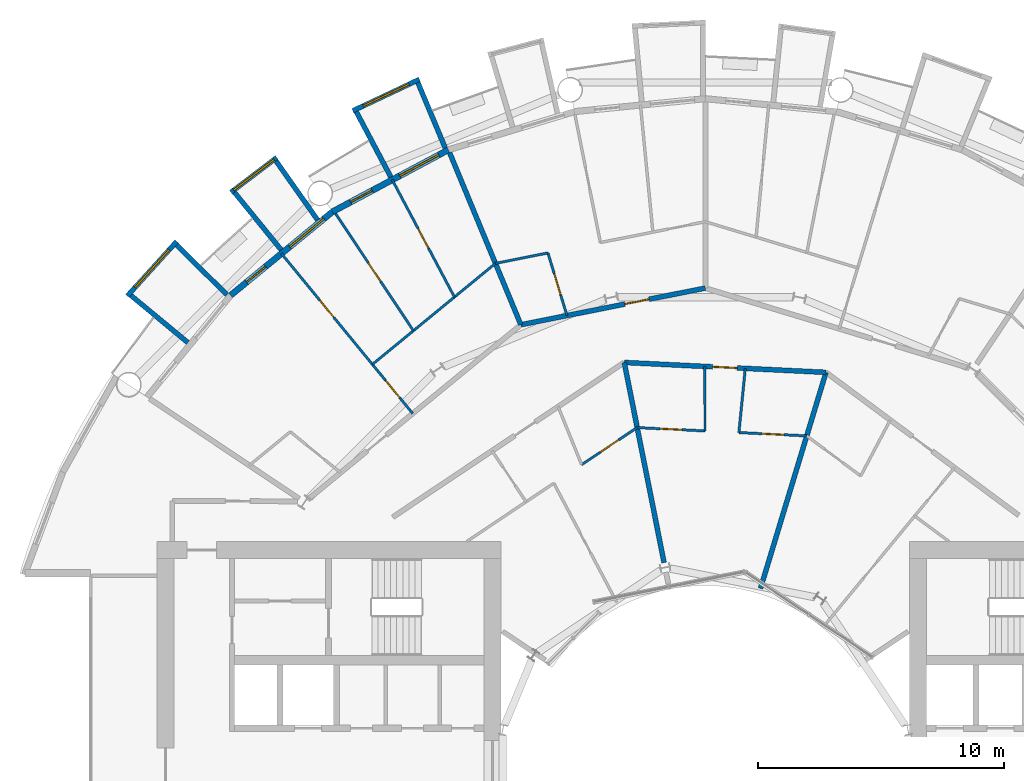
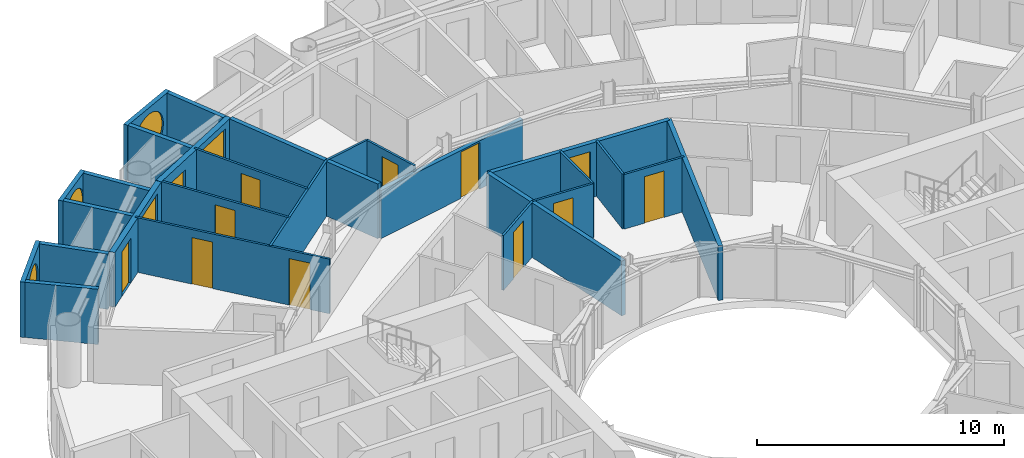
# One storey, part 19 of 26: 27 walls, 12 doors, 5 windows, 17 openings.
"""IFC4 building model written with IfcOpenShell, lengths in metres."""

from ifc_helpers import new_model, si_unit, direction, frame, frame_2d, origin, place, context, subcontext, project, spatial, rectangle, circle, extrude, material, layer, layer_set, type_object, element, fill, save


model = new_model("IFC4")

# Units and contexts
model_context = context("Model", 3, precision=1e-05, world=origin(), true_north=direction((0.0, 1.0)))
body_context = subcontext(model_context, "Body", "Model", "MODEL_VIEW")
ifc_project = project(units=[si_unit("LENGTHUNIT", "METRE"), si_unit("AREAUNIT", "SQUARE_METRE"), si_unit("VOLUMEUNIT", "CUBIC_METRE"), si_unit("PLANEANGLEUNIT", "RADIAN"), si_unit("MASSUNIT", "GRAM", prefix="KILO")], contexts=[model_context])

# Site, building, storey
site_placement = place(None, origin())
site = spatial("IfcSite", under=ifc_project, at=site_placement, CompositionType="ELEMENT")
building_placement = place(site_placement, origin())
building = spatial("IfcBuilding", under=site, at=building_placement, Name="Maasbend Ring Residences", CompositionType="ELEMENT")
storey_placement = place(building_placement, frame((0.0, 0.0, 91.050048828125)))
storey = spatial("IfcBuildingStorey", under=building, at=storey_placement, Name="L26", CompositionType="ELEMENT", Elevation=91.050048828125)

# Wall, opening, door
ifc_material_1 = material(Name="Concrete C30/37", Category="concrete")
ifc_layer_1 = layer(ifc_material_1, 0.199951171875)
ifc_layer_set_1 = layer_set([ifc_layer_1], Name="Concrete C30/37")
wall_type_1 = type_object("IfcWallType", Name="CORRIDOR WALL 200 CONCRETE", PredefinedType="PARTITIONING", material=ifc_layer_set_1)
wall_1_placement = place(storey_placement, frame((-3.298095703125, 16.573974609375, 0.0), z_axis=(0.0, 0.0, 1.0), x_axis=(0.998802523271, -0.048923608895, 0.0)))
wall_1 = element("IfcWall", 1, at=wall_1_placement, inside=storey, type_object=wall_type_1, Name="U-L26-w097", PredefinedType="PARTITIONING", context=body_context, shape_type="SweptSolid", body=[
    extrude(rectangle(XDim=8.2138671875, YDim=0.199951171875, at=frame_2d((4.10693359375, 0.0))), origin(), (0.0, 0.0, 1.0), 2.699951171875),
])
opening_1_placement = place(wall_1_placement, frame((3.60009765625, 0.0, 0.0)))
opening_1 = element("IfcOpeningElement", 2, at=opening_1_placement, cuts=wall_1, Name="Opening D-2625", PredefinedType="OPENING", context=body_context, shape_type="SweptSolid", body=[
    extrude(rectangle(XDim=1.0, YDim=2.300048828125, at=frame_2d((0.5, 1.14990234375))), frame((0.0, 0.10986328125, 0.0), z_axis=(0.0, -1.0, 0.0), x_axis=(1.0, 0.0, 0.0)), (0.0, 0.0, 1.0), 0.219970703125),
])
ifc_material_2 = material(Name="Timber, fire-rated, painted", Category="wood")
door_type_1 = type_object("IfcDoorType", Name="FLAT ENTRANCE DOOR 1000 X 2300 FIRE-RATED", OperationType="NOTDEFINED", PredefinedType="DOOR", material=ifc_material_2)
door_1_placement = place(opening_1_placement, origin())
door_1 = element("IfcDoor", 3, at=door_1_placement, inside=storey, type_object=door_type_1, Name="D-2625", OperationType="SINGLE_SWING_LEFT", OverallHeight=2.300048828125, OverallWidth=1.0, PredefinedType="DOOR", context=body_context, shape_type="SweptSolid", body=[
    extrude(rectangle(XDim=1.0, YDim=2.300048828125, at=frame_2d((0.5, 1.14990234375))), frame((0.0, 0.02490234375, 0.0), z_axis=(0.0, -1.0, 0.0), x_axis=(1.0, 0.0, 0.0)), (0.0, 0.0, 1.0), 0.050048828125),
])
fill(opening_1, door_1)

wall_2_placement = place(storey_placement, frame((-7.5009765625, 18.10791015625, 0.0), z_axis=(0.0, 0.0, 1.0), x_axis=(0.980791233058, 0.195060393611, 0.0)))
wall_2 = element("IfcWall", 4, at=wall_2_placement, inside=storey, type_object=wall_type_1, Name="U-L26-w100", PredefinedType="PARTITIONING", context=body_context, shape_type="SweptSolid", body=[
    extrude(rectangle(XDim=7.64990234375, YDim=0.199951171875, at=frame_2d((3.824951171875, 0.0))), origin(), (0.0, 0.0, 1.0), 2.3798828125),
])
opening_2_placement = place(wall_2_placement, frame((4.31298828125, 0.0, 0.0)))
opening_2 = element("IfcOpeningElement", 5, at=opening_2_placement, cuts=wall_2, Name="Opening D-2611", PredefinedType="OPENING", context=body_context, shape_type="SweptSolid", body=[
    extrude(rectangle(XDim=1.0, YDim=2.300048828125, at=frame_2d((0.5, 1.14990234375))), frame((0.0, 0.10986328125, 0.0), z_axis=(0.0, -1.0, 0.0), x_axis=(1.0, 0.0, 0.0)), (0.0, 0.0, 1.0), 0.219970703125),
])
door_2_placement = place(opening_2_placement, origin())
door_2 = element("IfcDoor", 6, at=door_2_placement, inside=storey, type_object=door_type_1, Name="D-2611", OperationType="SINGLE_SWING_RIGHT", OverallHeight=2.300048828125, OverallWidth=1.0, PredefinedType="DOOR", context=body_context, shape_type="SweptSolid", body=[
    extrude(rectangle(XDim=1.0, YDim=2.300048828125, at=frame_2d((0.5, 1.14990234375))), frame((0.0, 0.02490234375, 0.0), z_axis=(0.0, -1.0, 0.0), x_axis=(1.0, 0.0, 0.0)), (0.0, 0.0, 1.0), 0.050048828125),
])
fill(opening_2, door_2)

# Wall, opening, window
ifc_material_3 = material(Name="Pale anodised aluminium panel", Category="aluminium")
ifc_layer_2 = layer(ifc_material_3, 0.199951171875)
ifc_layer_set_2 = layer_set([ifc_layer_2], Name="EW-BOX")
wall_type_2 = type_object("IfcWallType", Name="EW-BOX", PredefinedType="SOLIDWALL", material=ifc_layer_set_2)
wall_3_placement = place(storey_placement, frame((-11.62890625, 28.087890625, -0.030029296875), z_axis=(0.0, 0.0, 1.0), x_axis=(-0.904000060331, -0.427532327342, 0.0)))
wall_3 = element("IfcWall", 7, at=wall_3_placement, inside=storey, type_object=wall_type_2, Name="Box front N15", PredefinedType="SOLIDWALL", context=body_context, shape_type="SweptSolid", body=[
    extrude(rectangle(XDim=2.993408203125, YDim=0.199951171875, at=frame_2d((1.49658203125, 0.0))), origin(), (0.0, 0.0, 1.0), 2.72998046875),
])
opening_3_placement = place(wall_3_placement, frame((0.45654296875, 0.0, 0.330078125)))
opening_3 = element("IfcOpeningElement", 8, at=opening_3_placement, cuts=wall_3, Name="Opening W-RD", PredefinedType="OPENING", context=body_context, shape_type="SweptSolid", body=[
    extrude(circle(Radius=1.0400390625, at=frame_2d((1.0400390625, 1.0400390625))), frame((0.0, 0.10986328125, 0.0), z_axis=(0.0, -1.0, 0.0), x_axis=(1.0, 0.0, 0.0)), (0.0, 0.0, 1.0), 0.219970703125),
])
ifc_material_4 = material(Name="Aluminium and clear glass", Category="aluminium")
window_type_1 = type_object("IfcWindowType", Name="W-RD", PartitioningType="SINGLE_PANEL", PredefinedType="WINDOW", material=ifc_material_4)
window_1_placement = place(opening_3_placement, origin())
window_1 = element("IfcWindow", 9, at=window_1_placement, inside=storey, type_object=window_type_1, Name="Round window N15", OverallHeight=2.080078125, OverallWidth=2.080078125, PartitioningType="SINGLE_PANEL", PredefinedType="WINDOW", context=body_context, shape_type="SweptSolid", body=[
    extrude(circle(Radius=1.0400390625, at=frame_2d((1.0400390625, 1.0400390625))), frame((0.0, 0.030029296875, 0.0), z_axis=(0.0, -1.0, 0.0), x_axis=(1.0, 0.0, 0.0)), (0.0, 0.0, 1.0), 0.06005859375),
])
fill(opening_3, window_1)

# Walls
wall_4_placement = place(storey_placement, frame((-10.574951171875, 25.294921875, -0.030029296875), z_axis=(0.0, 0.0, 1.0), x_axis=(-0.385697364644, 0.922625353492, 0.0)))
element("IfcWall", 10, at=wall_4_placement, inside=storey, type_object=wall_type_2, Name="Box side wall N15 left", PredefinedType="SOLIDWALL", context=body_context, shape_type="SweptSolid", body=[
    extrude(rectangle(XDim=2.88330078125, YDim=0.199951171875, at=frame_2d((1.441650390625, 0.0))), origin(), (0.0, 0.0, 1.0), 2.72998046875),
])
wall_5_placement = place(storey_placement, frame((-12.787109375, 24.113037109375, -0.030029296875), z_axis=(0.0, 0.0, 1.0), x_axis=(-0.468365282436, 0.883534924159, 0.0)))
element("IfcWall", 11, at=wall_5_placement, inside=storey, type_object=wall_type_2, Name="Box side wall N15 right", PredefinedType="SOLIDWALL", context=body_context, shape_type="SweptSolid", body=[
    extrude(rectangle(XDim=3.006103515625, YDim=0.199951171875, at=frame_2d((1.5029296875, 0.0))), origin(), (0.0, 0.0, 1.0), 2.72998046875),
])

# Wall, opening, window
wall_6_placement = place(storey_placement, frame((-17.427001953125, 24.908935546875, -0.030029296875), z_axis=(0.0, 0.0, 1.0), x_axis=(-0.796842165306, -0.60418752353, 0.0)))
wall_6 = element("IfcWall", 12, at=wall_6_placement, inside=storey, type_object=wall_type_2, Name="Box front N17", PredefinedType="SOLIDWALL", context=body_context, shape_type="SweptSolid", body=[
    extrude(rectangle(XDim=2.3369140625, YDim=0.199951171875, at=frame_2d((1.16845703125, 0.0))), origin(), (0.0, 0.0, 1.0), 2.72998046875),
])
opening_4_placement = place(wall_6_placement, frame((0.128173828125, 0.0, 0.330078125)))
opening_4 = element("IfcOpeningElement", 13, at=opening_4_placement, cuts=wall_6, Name="Opening W-RD", PredefinedType="OPENING", context=body_context, shape_type="SweptSolid", body=[
    extrude(circle(Radius=1.0400390625, at=frame_2d((1.0400390625, 1.0400390625))), frame((0.0, 0.10986328125, 0.0), z_axis=(0.0, -1.0, 0.0), x_axis=(1.0, 0.0, 0.0)), (0.0, 0.0, 1.0), 0.219970703125),
])
window_2_placement = place(opening_4_placement, origin())
window_2 = element("IfcWindow", 14, at=window_2_placement, inside=storey, type_object=window_type_1, Name="Round window N17", OverallHeight=2.080078125, OverallWidth=2.080078125, PartitioningType="SINGLE_PANEL", PredefinedType="WINDOW", context=body_context, shape_type="SweptSolid", body=[
    extrude(circle(Radius=1.0400390625, at=frame_2d((1.0400390625, 1.0400390625))), frame((0.0, 0.030029296875, 0.0), z_axis=(0.0, -1.0, 0.0), x_axis=(1.0, 0.0, 0.0)), (0.0, 0.0, 1.0), 0.06005859375),
])
fill(opening_4, window_2)

# Walls
wall_7_placement = place(storey_placement, frame((-15.764892578125, 22.3701171875, -0.030029296875), z_axis=(0.0, 0.0, 1.0), x_axis=(-0.576274612209, 0.817256123454, 0.0)))
element("IfcWall", 15, at=wall_7_placement, inside=storey, type_object=wall_type_2, Name="Box side wall N17 left", PredefinedType="SOLIDWALL", context=body_context, shape_type="SweptSolid", body=[
    extrude(rectangle(XDim=2.932861328125, YDim=0.199951171875, at=frame_2d((1.46630859375, 0.0))), origin(), (0.0, 0.0, 1.0), 2.72998046875),
])
wall_8_placement = place(storey_placement, frame((-17.24609375, 21.155029296875, -0.030029296875), z_axis=(0.0, 0.0, 1.0), x_axis=(-0.631741648902, 0.775179004516, 0.0)))
element("IfcWall", 16, at=wall_8_placement, inside=storey, type_object=wall_type_2, Name="Box side wall N17 right", PredefinedType="SOLIDWALL", context=body_context, shape_type="SweptSolid", body=[
    extrude(rectangle(XDim=3.005859375, YDim=0.199951171875, at=frame_2d((1.5029296875, 0.0))), origin(), (0.0, 0.0, 1.0), 2.72998046875),
])

# Wall, opening, window
wall_9_placement = place(storey_placement, frame((-21.492919921875, 21.5, -0.030029296875), z_axis=(0.0, 0.0, 1.0), x_axis=(-0.671506829416, -0.740998365753, 0.0)))
wall_9 = element("IfcWall", 17, at=wall_9_placement, inside=storey, type_object=wall_type_2, Name="Box front N19", PredefinedType="SOLIDWALL", context=body_context, shape_type="SweptSolid", body=[
    extrude(rectangle(XDim=2.9931640625, YDim=0.199951171875, at=frame_2d((1.49658203125, 0.0))), origin(), (0.0, 0.0, 1.0), 2.72998046875),
])
opening_5_placement = place(wall_9_placement, frame((0.45654296875, 0.0, 0.330078125)))
opening_5 = element("IfcOpeningElement", 18, at=opening_5_placement, cuts=wall_9, Name="Opening W-RD", PredefinedType="OPENING", context=body_context, shape_type="SweptSolid", body=[
    extrude(circle(Radius=1.0400390625, at=frame_2d((1.0400390625, 1.0400390625))), frame((0.0, 0.10986328125, 0.0), z_axis=(0.0, -1.0, 0.0), x_axis=(1.0, 0.0, 0.0)), (0.0, 0.0, 1.0), 0.219970703125),
])
window_3_placement = place(opening_5_placement, origin())
window_3 = element("IfcWindow", 19, at=window_3_placement, inside=storey, type_object=window_type_1, Name="Round window N19", OverallHeight=2.080078125, OverallWidth=2.080078125, PartitioningType="SINGLE_PANEL", PredefinedType="WINDOW", context=body_context, shape_type="SweptSolid", body=[
    extrude(circle(Radius=1.0400390625, at=frame_2d((1.0400390625, 1.0400390625))), frame((0.0, 0.030029296875, 0.0), z_axis=(0.0, -1.0, 0.0), x_axis=(1.0, 0.0, 0.0)), (0.0, 0.0, 1.0), 0.06005859375),
])
fill(opening_5, window_3)

# Walls
wall_10_placement = place(storey_placement, frame((-19.449951171875, 19.322998046875, -0.030029296875), z_axis=(0.0, 0.0, 1.0), x_axis=(-0.709727076896, 0.704476739375, 0.0)))
element("IfcWall", 20, at=wall_10_placement, inside=storey, type_object=wall_type_2, Name="Box side wall N19 left", PredefinedType="SOLIDWALL", context=body_context, shape_type="SweptSolid", body=[
    extrude(rectangle(XDim=2.883056640625, YDim=0.199951171875, at=frame_2d((1.44140625, 0.0))), origin(), (0.0, 0.0, 1.0), 2.72998046875),
])
wall_11_placement = place(storey_placement, frame((-21.041015625, 17.384033203125, -0.030029296875), z_axis=(0.0, 0.0, 1.0), x_axis=(-0.770784861449, 0.63709551667, 0.0)))
element("IfcWall", 21, at=wall_11_placement, inside=storey, type_object=wall_type_2, Name="Box side wall N19 right", PredefinedType="SOLIDWALL", context=body_context, shape_type="SweptSolid", body=[
    extrude(rectangle(XDim=3.005859375, YDim=0.199951171875, at=frame_2d((1.5029296875, 0.0))), origin(), (0.0, 0.0, 1.0), 2.72998046875),
])

# Wall, openings, door, window
ifc_material_5 = material(Name="Aluminium clad insulated panel", Category="aluminium")
ifc_layer_3 = layer(ifc_material_5, 0.25)
ifc_layer_set_3 = layer_set([ifc_layer_3], Name="EW-GL")
wall_type_3 = type_object("IfcWallType", Name="EW-GL", PredefinedType="SOLIDWALL", material=ifc_layer_set_3)
wall_12_placement = place(storey_placement, frame((-10.447021484375, 25.221923828125, 0.0), z_axis=(0.0, 0.0, 1.0), x_axis=(-0.881915646801, -0.471407246368, 0.0)))
wall_12 = element("IfcWall", 22, at=wall_12_placement, inside=storey, type_object=wall_type_3, Name="External wall N08", PredefinedType="SOLIDWALL", context=body_context, shape_type="SweptSolid", body=[
    extrude(rectangle(XDim=5.35205078125, YDim=0.25, at=frame_2d((2.676025390625, 0.0))), origin(), (0.0, 0.0, 1.0), 2.699951171875),
])
opening_6_placement = place(wall_12_placement, frame((0.441162109375, 0.0, 0.300048828125)))
opening_6 = element("IfcOpeningElement", 23, at=opening_6_placement, cuts=wall_12, Name="Opening W-BX", PredefinedType="OPENING", context=body_context, shape_type="SweptSolid", body=[
    extrude(rectangle(XDim=1.800048828125, YDim=2.10009765625, at=frame_2d((0.89990234375, 1.050048828125))), frame((0.0, 0.135009765625, 0.0), z_axis=(0.0, -1.0, 0.0), x_axis=(1.0, 0.0, 0.0)), (0.0, 0.0, 1.0), 0.27001953125),
])
opening_7_placement = place(wall_12_placement, frame((3.510498046875, 0.0, 0.0)))
opening_7 = element("IfcOpeningElement", 24, at=opening_7_placement, cuts=wall_12, Name="Opening D-LG", PredefinedType="OPENING", context=body_context, shape_type="SweptSolid", body=[
    extrude(rectangle(XDim=1.0, YDim=2.199951171875, at=frame_2d((0.5, 1.10009765625))), frame((0.0, 0.135009765625, 0.0), z_axis=(0.0, -1.0, 0.0), x_axis=(1.0, 0.0, 0.0)), (0.0, 0.0, 1.0), 0.27001953125),
])
ifc_material_6 = material(Name="Aluminium and clear glass", Category="aluminium")
door_type_2 = type_object("IfcDoorType", Name="D-LG", OperationType="SINGLE_SWING_LEFT", PredefinedType="DOOR", material=ifc_material_6)
door_3_placement = place(opening_7_placement, origin())
door_3 = element("IfcDoor", 25, at=door_3_placement, inside=storey, type_object=door_type_2, Name="Loggia door N16", OperationType="SINGLE_SWING_LEFT", OverallHeight=2.199951171875, OverallWidth=1.0, PredefinedType="DOOR", context=body_context, shape_type="SweptSolid", body=[
    extrude(rectangle(XDim=1.0, YDim=2.199951171875, at=frame_2d((0.5, 1.10009765625))), frame((0.0, 0.02490234375, 0.0), z_axis=(0.0, -1.0, 0.0), x_axis=(1.0, 0.0, 0.0)), (0.0, 0.0, 1.0), 0.050048828125),
])
fill(opening_7, door_3)
ifc_material_7 = material(Name="Aluminium and clear glass", Category="aluminium")
window_type_2 = type_object("IfcWindowType", Name="W-BX", PartitioningType="DOUBLE_PANEL_VERTICAL", PredefinedType="WINDOW", material=ifc_material_7)
window_4_placement = place(opening_6_placement, origin())
window_4 = element("IfcWindow", 26, at=window_4_placement, inside=storey, type_object=window_type_2, Name="Window N15 room to box", OverallHeight=2.10009765625, OverallWidth=1.800048828125, PartitioningType="SINGLE_PANEL", PredefinedType="WINDOW", context=body_context, shape_type="SweptSolid", body=[
    extrude(rectangle(XDim=1.800048828125, YDim=2.10009765625, at=frame_2d((0.89990234375, 1.050048828125))), frame((0.0, 0.030029296875, 0.0), z_axis=(0.0, -1.0, 0.0), x_axis=(1.0, 0.0, 0.0)), (0.0, 0.0, 1.0), 0.06005859375),
])
fill(opening_6, window_4)

wall_13_placement = place(storey_placement, frame((-15.1669921875, 22.698974609375, 0.0), z_axis=(0.0, 0.0, 1.0), x_axis=(-0.773019449054, -0.634382322723, 0.0)))
wall_13 = element("IfcWall", 27, at=wall_13_placement, inside=storey, type_object=wall_type_3, Name="External wall N09", PredefinedType="SOLIDWALL", context=body_context, shape_type="SweptSolid", body=[
    extrude(rectangle(XDim=5.351806640625, YDim=0.25, at=frame_2d((2.67578125, 0.0))), origin(), (0.0, 0.0, 1.0), 2.699951171875),
])
opening_8_placement = place(wall_13_placement, frame((0.441162109375, 0.0, 0.300048828125)))
opening_8 = element("IfcOpeningElement", 28, at=opening_8_placement, cuts=wall_13, Name="Opening W-BX", PredefinedType="OPENING", context=body_context, shape_type="SweptSolid", body=[
    extrude(rectangle(XDim=1.800048828125, YDim=2.10009765625, at=frame_2d((0.89990234375, 1.050048828125))), frame((0.0, 0.135009765625, 0.0), z_axis=(0.0, -1.0, 0.0), x_axis=(1.0, 0.0, 0.0)), (0.0, 0.0, 1.0), 0.27001953125),
])
opening_9_placement = place(wall_13_placement, frame((3.510498046875, 0.0, 0.0)))
opening_9 = element("IfcOpeningElement", 29, at=opening_9_placement, cuts=wall_13, Name="Opening D-LG", PredefinedType="OPENING", context=body_context, shape_type="SweptSolid", body=[
    extrude(rectangle(XDim=1.0, YDim=2.199951171875, at=frame_2d((0.5, 1.10009765625))), frame((0.0, 0.135009765625, 0.0), z_axis=(0.0, -1.0, 0.0), x_axis=(1.0, 0.0, 0.0)), (0.0, 0.0, 1.0), 0.27001953125),
])
door_4_placement = place(opening_9_placement, origin())
door_4 = element("IfcDoor", 30, at=door_4_placement, inside=storey, type_object=door_type_2, Name="Loggia door N18", OperationType="SINGLE_SWING_LEFT", OverallHeight=2.199951171875, OverallWidth=1.0, PredefinedType="DOOR", context=body_context, shape_type="SweptSolid", body=[
    extrude(rectangle(XDim=1.0, YDim=2.199951171875, at=frame_2d((0.5, 1.10009765625))), frame((0.0, 0.02490234375, 0.0), z_axis=(0.0, -1.0, 0.0), x_axis=(1.0, 0.0, 0.0)), (0.0, 0.0, 1.0), 0.050048828125),
])
fill(opening_9, door_4)
window_5_placement = place(opening_8_placement, origin())
window_5 = element("IfcWindow", 31, at=window_5_placement, inside=storey, type_object=window_type_2, Name="Window N17 room to box", OverallHeight=2.10009765625, OverallWidth=1.800048828125, PartitioningType="SINGLE_PANEL", PredefinedType="WINDOW", context=body_context, shape_type="SweptSolid", body=[
    extrude(rectangle(XDim=1.800048828125, YDim=2.10009765625, at=frame_2d((0.89990234375, 1.050048828125))), frame((0.0, 0.030029296875, 0.0), z_axis=(0.0, -1.0, 0.0), x_axis=(1.0, 0.0, 0.0)), (0.0, 0.0, 1.0), 0.06005859375),
])
fill(opening_8, window_5)

# Wall, openings, doors
ifc_material_8 = material(Name="Gypsum board on steel studs", Category="steel")
ifc_layer_4 = layer(ifc_material_8, 0.10009765625)
ifc_layer_set_4 = layer_set([ifc_layer_4], Name="PARTITION 100 GYPSUM")
wall_type_4 = type_object("IfcWallType", Name="PARTITION 100 GYPSUM", PredefinedType="PARTITIONING", material=ifc_layer_set_4)
wall_14_placement = place(storey_placement, frame((-17.239990234375, 21.007080078125, 0.0), z_axis=(0.0, 0.0, 1.0), x_axis=(0.634396151441, -0.77300810024, 0.0)))
wall_14 = element("IfcWall", 32, at=wall_14_placement, inside=storey, type_object=wall_type_4, Name="U-L26-w033", PredefinedType="PARTITIONING", context=body_context, shape_type="SweptSolid", body=[
    extrude(rectangle(XDim=8.419189453125, YDim=0.10009765625, at=frame_2d((4.20947265625, 0.0))), origin(), (0.0, 0.0, 1.0), 2.699951171875),
])
opening_10_placement = place(wall_14_placement, frame((6.678955078125, 0.0, 0.0)))
opening_10 = element("IfcOpeningElement", 33, at=opening_10_placement, cuts=wall_14, Name="Opening D-2617", PredefinedType="OPENING", context=body_context, shape_type="SweptSolid", body=[
    extrude(rectangle(XDim=0.89990234375, YDim=2.300048828125, at=frame_2d((0.449951171875, 1.14990234375))), frame((0.0, 0.06005859375, 0.0), z_axis=(0.0, -1.0, 0.0), x_axis=(1.0, 0.0, 0.0)), (0.0, 0.0, 1.0), 0.1201171875),
])
opening_11_placement = place(wall_14_placement, frame((2.468017578125, 0.0, 0.0)))
opening_11 = element("IfcOpeningElement", 34, at=opening_11_placement, cuts=wall_14, Name="Opening D-2618", PredefinedType="OPENING", context=body_context, shape_type="SweptSolid", body=[
    extrude(rectangle(XDim=0.89990234375, YDim=2.300048828125, at=frame_2d((0.449951171875, 1.14990234375))), frame((0.0, 0.06005859375, 0.0), z_axis=(0.0, -1.0, 0.0), x_axis=(1.0, 0.0, 0.0)), (0.0, 0.0, 1.0), 0.1201171875),
])
ifc_material_9 = material(Name="Timber, painted", Category="wood")
door_type_3 = type_object("IfcDoorType", Name="INTERNAL DOOR 900 X 2300", OperationType="NOTDEFINED", PredefinedType="DOOR", material=ifc_material_9)
door_5_placement = place(opening_10_placement, origin())
door_5 = element("IfcDoor", 35, at=door_5_placement, inside=storey, type_object=door_type_3, Name="D-2617", OperationType="SINGLE_SWING_RIGHT", OverallHeight=2.300048828125, OverallWidth=0.89990234375, PredefinedType="DOOR", context=body_context, shape_type="SweptSolid", body=[
    extrude(rectangle(XDim=0.89990234375, YDim=2.300048828125, at=frame_2d((0.449951171875, 1.14990234375))), frame((0.0, 0.02490234375, 0.0), z_axis=(0.0, -1.0, 0.0), x_axis=(1.0, 0.0, 0.0)), (0.0, 0.0, 1.0), 0.050048828125),
])
fill(opening_10, door_5)
door_6_placement = place(opening_11_placement, origin())
door_6 = element("IfcDoor", 36, at=door_6_placement, inside=storey, type_object=door_type_3, Name="D-2618", OperationType="SINGLE_SWING_LEFT", OverallHeight=2.300048828125, OverallWidth=0.89990234375, PredefinedType="DOOR", context=body_context, shape_type="SweptSolid", body=[
    extrude(rectangle(XDim=0.89990234375, YDim=2.300048828125, at=frame_2d((0.449951171875, 1.14990234375))), frame((0.0, 0.02490234375, 0.0), z_axis=(0.0, -1.0, 0.0), x_axis=(1.0, 0.0, 0.0)), (0.0, 0.0, 1.0), 0.050048828125),
])
fill(opening_11, door_6)

# Wall, opening, door
wall_15_placement = place(storey_placement, frame((-15.0390625, 22.634033203125, 0.0), z_axis=(0.0, 0.0, 1.0), x_axis=(0.553440102418, -0.832888980018, 0.0)))
wall_15 = element("IfcWall", 37, at=wall_15_placement, inside=storey, type_object=wall_type_4, Name="U-L26-w035", PredefinedType="PARTITIONING", context=body_context, shape_type="SweptSolid", body=[
    extrude(rectangle(XDim=5.725830078125, YDim=0.10009765625, at=frame_2d((2.86279296875, 0.0))), origin(), (0.0, 0.0, 1.0), 2.699951171875),
])
opening_12_placement = place(wall_15_placement, frame((2.4130859375, 0.0, 0.0)))
opening_12 = element("IfcOpeningElement", 38, at=opening_12_placement, cuts=wall_15, Name="Opening D-2619", PredefinedType="OPENING", context=body_context, shape_type="SweptSolid", body=[
    extrude(rectangle(XDim=0.89990234375, YDim=2.300048828125, at=frame_2d((0.449951171875, 1.14990234375))), frame((0.0, 0.06005859375, 0.0), z_axis=(0.0, -1.0, 0.0), x_axis=(1.0, 0.0, 0.0)), (0.0, 0.0, 1.0), 0.1201171875),
])
door_7_placement = place(opening_12_placement, origin())
door_7 = element("IfcDoor", 39, at=door_7_placement, inside=storey, type_object=door_type_3, Name="D-2619", OperationType="SINGLE_SWING_RIGHT", OverallHeight=2.300048828125, OverallWidth=0.89990234375, PredefinedType="DOOR", context=body_context, shape_type="SweptSolid", body=[
    extrude(rectangle(XDim=0.89990234375, YDim=2.300048828125, at=frame_2d((0.449951171875, 1.14990234375))), frame((0.0, 0.02490234375, 0.0), z_axis=(0.0, -1.0, 0.0), x_axis=(1.0, 0.0, 0.0)), (0.0, 0.0, 1.0), 0.050048828125),
])
fill(opening_12, door_7)

wall_16_placement = place(storey_placement, frame((-12.73388671875, 24.007080078125, 0.0), z_axis=(0.0, 0.0, 1.0), x_axis=(0.468610030042, -0.883405139075, 0.0)))
wall_16 = element("IfcWall", 40, at=wall_16_placement, inside=storey, type_object=wall_type_4, Name="U-L26-w036", PredefinedType="PARTITIONING", context=body_context, shape_type="SweptSolid", body=[
    extrude(rectangle(XDim=5.403076171875, YDim=0.10009765625, at=frame_2d((2.70166015625, 0.0))), origin(), (0.0, 0.0, 1.0), 2.699951171875),
])
opening_13_placement = place(wall_16_placement, frame((2.251953125, 0.0, 0.0)))
opening_13 = element("IfcOpeningElement", 41, at=opening_13_placement, cuts=wall_16, Name="Opening D-2620", PredefinedType="OPENING", context=body_context, shape_type="SweptSolid", body=[
    extrude(rectangle(XDim=0.89990234375, YDim=2.300048828125, at=frame_2d((0.449951171875, 1.14990234375))), frame((0.0, 0.06005859375, 0.0), z_axis=(0.0, -1.0, 0.0), x_axis=(1.0, 0.0, 0.0)), (0.0, 0.0, 1.0), 0.1201171875),
])
door_8_placement = place(opening_13_placement, origin())
door_8 = element("IfcDoor", 42, at=door_8_placement, inside=storey, type_object=door_type_3, Name="D-2620", OperationType="SINGLE_SWING_LEFT", OverallHeight=2.300048828125, OverallWidth=0.89990234375, PredefinedType="DOOR", context=body_context, shape_type="SweptSolid", body=[
    extrude(rectangle(XDim=0.89990234375, YDim=2.300048828125, at=frame_2d((0.449951171875, 1.14990234375))), frame((0.0, 0.02490234375, 0.0), z_axis=(0.0, -1.0, 0.0), x_axis=(1.0, 0.0, 0.0)), (0.0, 0.0, 1.0), 0.050048828125),
])
fill(opening_13, door_8)

wall_17_placement = place(storey_placement, frame((-6.39990234375, 21.027099609375, 0.0), z_axis=(0.0, 0.0, 1.0), x_axis=(0.291157965538, -0.956674991365, 0.0)))
wall_17 = element("IfcWall", 43, at=wall_17_placement, inside=storey, type_object=wall_type_4, Name="U-L26-w043", PredefinedType="PARTITIONING", context=body_context, shape_type="SweptSolid", body=[
    extrude(rectangle(XDim=2.661376953125, YDim=0.10009765625, at=frame_2d((1.33056640625, 0.0))), origin(), (0.0, 0.0, 1.0), 2.699951171875),
])
opening_14_placement = place(wall_17_placement, frame((0.881103515625, 0.0, 0.0)))
opening_14 = element("IfcOpeningElement", 44, at=opening_14_placement, cuts=wall_17, Name="Opening D-2612", PredefinedType="OPENING", context=body_context, shape_type="SweptSolid", body=[
    extrude(rectangle(XDim=0.89990234375, YDim=2.300048828125, at=frame_2d((0.449951171875, 1.14990234375))), frame((0.0, 0.06005859375, 0.0), z_axis=(0.0, -1.0, 0.0), x_axis=(1.0, 0.0, 0.0)), (0.0, 0.0, 1.0), 0.1201171875),
])
door_9_placement = place(opening_14_placement, origin())
door_9 = element("IfcDoor", 45, at=door_9_placement, inside=storey, type_object=door_type_3, Name="D-2612", OperationType="SINGLE_SWING_RIGHT", OverallHeight=2.300048828125, OverallWidth=0.89990234375, PredefinedType="DOOR", context=body_context, shape_type="SweptSolid", body=[
    extrude(rectangle(XDim=0.89990234375, YDim=2.300048828125, at=frame_2d((0.449951171875, 1.14990234375))), frame((0.0, 0.02490234375, 0.0), z_axis=(0.0, -1.0, 0.0), x_axis=(1.0, 0.0, 0.0)), (0.0, 0.0, 1.0), 0.050048828125),
])
fill(opening_14, door_9)

# Walls
wall_18_placement = place(storey_placement, frame((-0.012939453125, 13.7919921875, 0.0), z_axis=(0.0, 0.0, 1.0), x_axis=(-0.001210427419, 0.999999267432, 0.0)))
element("IfcWall", 46, at=wall_18_placement, inside=storey, type_object=wall_type_4, Name="U-L26-w056", PredefinedType="PARTITIONING", context=body_context, shape_type="SweptSolid", body=[
    extrude(rectangle(XDim=2.6220703125, YDim=0.10009765625, at=frame_2d((1.31103515625, 0.0))), origin(), (0.0, 0.0, 1.0), 2.699951171875),
])
wall_19_placement = place(storey_placement, frame((1.364990234375, 13.72412109375, 0.0), z_axis=(0.0, 0.0, 1.0), x_axis=(0.099171803948, 0.995070325807, 0.0)))
element("IfcWall", 47, at=wall_19_placement, inside=storey, type_object=wall_type_4, Name="U-L26-w060", PredefinedType="PARTITIONING", context=body_context, shape_type="SweptSolid", body=[
    extrude(rectangle(XDim=2.621826171875, YDim=0.10009765625, at=frame_2d((1.31103515625, 0.0))), origin(), (0.0, 0.0, 1.0), 2.699951171875),
])

# Wall, opening, door
wall_20_placement = place(storey_placement, frame((-5.031982421875, 12.4169921875, 0.0), z_axis=(0.0, 0.0, 1.0), x_axis=(0.831538390496, 0.555467285384, 0.0)))
wall_20 = element("IfcWall", 48, at=wall_20_placement, inside=storey, type_object=wall_type_4, Name="U-L26-w090", PredefinedType="PARTITIONING", context=body_context, shape_type="SweptSolid", body=[
    extrude(rectangle(XDim=2.716796875, YDim=0.10009765625, at=frame_2d((1.3583984375, 0.0))), origin(), (0.0, 0.0, 1.0), 2.699951171875),
])
opening_15_placement = place(wall_20_placement, frame((0.910888671875, 0.0, 0.0)))
opening_15 = element("IfcOpeningElement", 49, at=opening_15_placement, cuts=wall_20, Name="Opening D-2629", PredefinedType="OPENING", context=body_context, shape_type="SweptSolid", body=[
    extrude(rectangle(XDim=0.89990234375, YDim=2.300048828125, at=frame_2d((0.449951171875, 1.14990234375))), frame((0.0, 0.06005859375, 0.0), z_axis=(0.0, -1.0, 0.0), x_axis=(1.0, 0.0, 0.0)), (0.0, 0.0, 1.0), 0.1201171875),
])
door_10_placement = place(opening_15_placement, origin())
door_10 = element("IfcDoor", 50, at=door_10_placement, inside=storey, type_object=door_type_3, Name="D-2629", OperationType="SINGLE_SWING_RIGHT", OverallHeight=2.300048828125, OverallWidth=0.89990234375, PredefinedType="DOOR", context=body_context, shape_type="SweptSolid", body=[
    extrude(rectangle(XDim=0.89990234375, YDim=2.300048828125, at=frame_2d((0.449951171875, 1.14990234375))), frame((0.0, 0.02490234375, 0.0), z_axis=(0.0, -1.0, 0.0), x_axis=(1.0, 0.0, 0.0)), (0.0, 0.0, 1.0), 0.050048828125),
])
fill(opening_15, door_10)

wall_21_placement = place(storey_placement, frame((-2.77001953125, 13.926025390625, 0.0), z_axis=(0.0, 0.0, 1.0), x_axis=(0.99880320044, -0.048909782152, 0.0)))
wall_21 = element("IfcWall", 51, at=wall_21_placement, inside=storey, type_object=wall_type_4, Name="U-L26-w093", PredefinedType="PARTITIONING", context=body_context, shape_type="SweptSolid", body=[
    extrude(rectangle(XDim=2.760498046875, YDim=0.10009765625, at=frame_2d((1.38037109375, 0.0))), origin(), (0.0, 0.0, 1.0), 2.699951171875),
])
opening_16_placement = place(wall_21_placement, frame((0.929931640625, 0.0, 0.0)))
opening_16 = element("IfcOpeningElement", 52, at=opening_16_placement, cuts=wall_21, Name="Opening D-2626", PredefinedType="OPENING", context=body_context, shape_type="SweptSolid", body=[
    extrude(rectangle(XDim=0.89990234375, YDim=2.300048828125, at=frame_2d((0.449951171875, 1.14990234375))), frame((0.0, 0.06005859375, 0.0), z_axis=(0.0, -1.0, 0.0), x_axis=(1.0, 0.0, 0.0)), (0.0, 0.0, 1.0), 0.1201171875),
])
door_11_placement = place(opening_16_placement, origin())
door_11 = element("IfcDoor", 53, at=door_11_placement, inside=storey, type_object=door_type_3, Name="D-2626", OperationType="SINGLE_SWING_LEFT", OverallHeight=2.300048828125, OverallWidth=0.89990234375, PredefinedType="DOOR", context=body_context, shape_type="SweptSolid", body=[
    extrude(rectangle(XDim=0.89990234375, YDim=2.300048828125, at=frame_2d((0.449951171875, 1.14990234375))), frame((0.0, 0.02490234375, 0.0), z_axis=(0.0, -1.0, 0.0), x_axis=(1.0, 0.0, 0.0)), (0.0, 0.0, 1.0), 0.050048828125),
])
fill(opening_16, door_11)

wall_22_placement = place(storey_placement, frame((1.364990234375, 13.72412109375, 0.0), z_axis=(0.0, 0.0, 1.0), x_axis=(0.99880320044, -0.048909782152, 0.0)))
wall_22 = element("IfcWall", 54, at=wall_22_placement, inside=storey, type_object=wall_type_4, Name="U-L26-w094", PredefinedType="PARTITIONING", context=body_context, shape_type="SweptSolid", body=[
    extrude(rectangle(XDim=2.760498046875, YDim=0.10009765625, at=frame_2d((1.38037109375, 0.0))), origin(), (0.0, 0.0, 1.0), 2.699951171875),
])
opening_17_placement = place(wall_22_placement, frame((0.929931640625, 0.0, 0.0)))
opening_17 = element("IfcOpeningElement", 55, at=opening_17_placement, cuts=wall_22, Name="Opening D-2627", PredefinedType="OPENING", context=body_context, shape_type="SweptSolid", body=[
    extrude(rectangle(XDim=0.89990234375, YDim=2.300048828125, at=frame_2d((0.449951171875, 1.14990234375))), frame((0.0, 0.06005859375, 0.0), z_axis=(0.0, -1.0, 0.0), x_axis=(1.0, 0.0, 0.0)), (0.0, 0.0, 1.0), 0.1201171875),
])
door_12_placement = place(opening_17_placement, origin())
door_12 = element("IfcDoor", 56, at=door_12_placement, inside=storey, type_object=door_type_3, Name="D-2627", OperationType="SINGLE_SWING_RIGHT", OverallHeight=2.300048828125, OverallWidth=0.89990234375, PredefinedType="DOOR", context=body_context, shape_type="SweptSolid", body=[
    extrude(rectangle(XDim=0.89990234375, YDim=2.300048828125, at=frame_2d((0.449951171875, 1.14990234375))), frame((0.0, 0.02490234375, 0.0), z_axis=(0.0, -1.0, 0.0), x_axis=(1.0, 0.0, 0.0)), (0.0, 0.0, 1.0), 0.050048828125),
])
fill(opening_17, door_12)

# Walls
wall_23_placement = place(storey_placement, frame((-13.5380859375, 16.49609375, 0.0), z_axis=(0.0, 0.0, 1.0), x_axis=(0.773000340237, 0.634405606843, 0.0)))
element("IfcWall", 57, at=wall_23_placement, inside=storey, type_object=wall_type_4, Name="U-L26-w103", PredefinedType="PARTITIONING", context=body_context, shape_type="SweptSolid", body=[
    extrude(rectangle(XDim=6.4736328125, YDim=0.10009765625, at=frame_2d((3.23681640625, 0.0))), origin(), (0.0, 0.0, 1.0), 2.699951171875),
])
wall_24_placement = place(storey_placement, frame((-8.533935546875, 20.60302734375, 0.0), z_axis=(0.0, 0.0, 1.0), x_axis=(0.980821612706, 0.194907578226, 0.0)))
element("IfcWall", 58, at=wall_24_placement, inside=storey, type_object=wall_type_4, Name="U-L26-w108", PredefinedType="PARTITIONING", context=body_context, shape_type="SweptSolid", body=[
    extrude(rectangle(XDim=2.17578125, YDim=0.10009765625, at=frame_2d((1.087890625, 0.0))), origin(), (0.0, 0.0, 1.0), 2.699951171875),
])
ifc_material_10 = material(Name="Concrete C30/37", Category="concrete")
ifc_layer_5 = layer(ifc_material_10, 0.199951171875)
ifc_layer_set_5 = layer_set([ifc_layer_5], Name="Concrete C30/37")
wall_type_5 = type_object("IfcWallType", Name="PARTY WALL 200 CONCRETE", PredefinedType="PARTITIONING", material=ifc_layer_set_5)
wall_25_placement = place(storey_placement, frame((-10.39794921875, 25.10595703125, 0.0), z_axis=(0.0, 0.0, 1.0), x_axis=(0.382490346157, -0.923959487801, 0.0)))
element("IfcWall", 59, at=wall_25_placement, inside=storey, type_object=wall_type_5, Name="U-L26-w038", PredefinedType="PARTITIONING", context=body_context, shape_type="SweptSolid", body=[
    extrude(rectangle(XDim=7.573974609375, YDim=0.199951171875, at=frame_2d((3.787109375, 0.0))), origin(), (0.0, 0.0, 1.0), 2.699951171875),
])
wall_26_placement = place(storey_placement, frame((-3.297119140625, 16.574951171875, 0.0), z_axis=(0.0, 0.0, 1.0), x_axis=(0.195205282633, -0.980762406311, 0.0)))
element("IfcWall", 60, at=wall_26_placement, inside=storey, type_object=wall_type_5, Name="U-L26-w051", PredefinedType="PARTITIONING", context=body_context, shape_type="SweptSolid", body=[
    extrude(rectangle(XDim=8.299560546875, YDim=0.199951171875, at=frame_2d((4.14990234375, 0.0))), origin(), (0.0, 0.0, 1.0), 2.699951171875),
])
wall_27_placement = place(storey_placement, frame((2.242919921875, 7.386962890625, 0.0), z_axis=(0.0, 0.0, 1.0), x_axis=(0.290196345171, 0.956967126525, 0.0)))
element("IfcWall", 61, at=wall_27_placement, inside=storey, type_object=wall_type_5, Name="U-L26-w064", PredefinedType="PARTITIONING", context=body_context, shape_type="SweptSolid", body=[
    extrude(rectangle(XDim=9.18017578125, YDim=0.199951171875, at=frame_2d((4.590087890625, 0.0))), origin(), (0.0, 0.0, 1.0), 2.699951171875),
])

save(model, "model.ifc")
